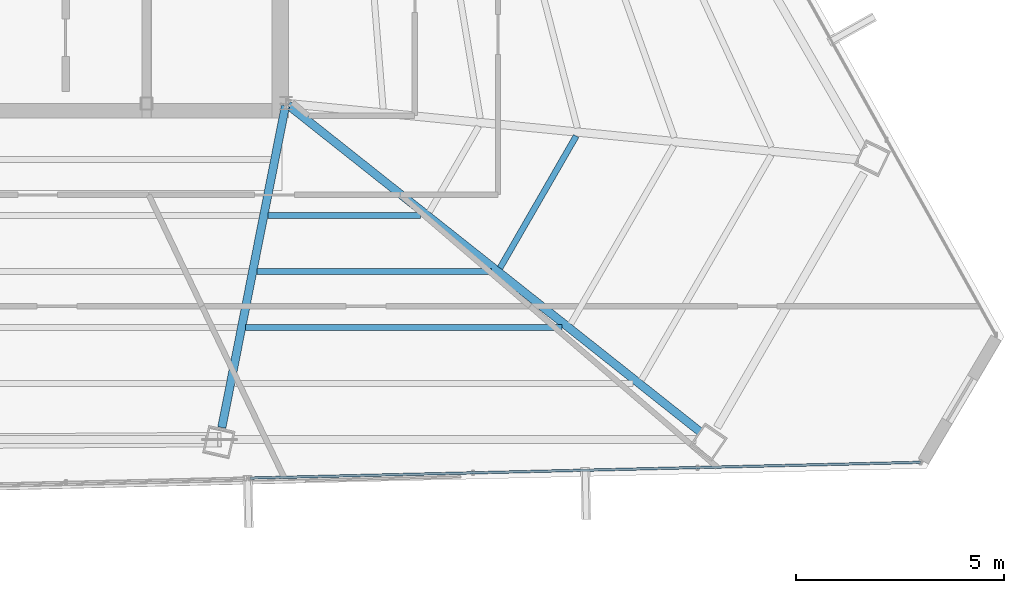
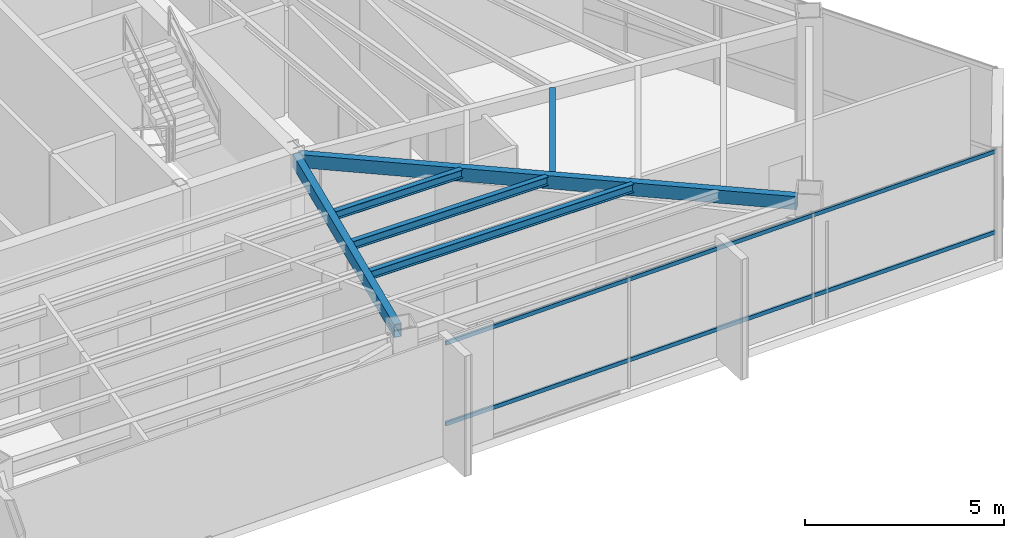
# One storey, part 20 of 46: 6 beams, 2 members, 1 element without a shape of its own.
"""IFC4 building model written with IfcOpenShell, lengths in metres."""

from ifc_helpers import new_model, si_unit, direction, frame, origin, origin_2d, place, context, subcontext, project, spatial, hollow_rectangle, i_section, extrude, source, transform, mapped, material, material_profile, profile_set, type_object, type_shapes, element, aggregate, save


model = new_model("IFC4")

# Units and contexts
model_context = context("Model", 3, precision=1e-05, world=origin(), true_north=direction((0.0, 1.0)))
body_context = subcontext(model_context, "Body", "Model", "MODEL_VIEW")
ifc_project = project(units=[si_unit("LENGTHUNIT", "METRE"), si_unit("AREAUNIT", "SQUARE_METRE"), si_unit("VOLUMEUNIT", "CUBIC_METRE"), si_unit("PLANEANGLEUNIT", "RADIAN"), si_unit("MASSUNIT", "GRAM", prefix="KILO")], contexts=[model_context])

# Site, building, storey
site_placement = place(None, origin())
site = spatial("IfcSite", under=ifc_project, at=site_placement, CompositionType="ELEMENT")
building_placement = place(site_placement, origin())
building = spatial("IfcBuilding", under=site, at=building_placement, Name="Caelisora Broadcast Tower", CompositionType="ELEMENT")
storey_placement = place(building_placement, frame((0.0, 0.0, 251.75)))
storey = spatial("IfcBuildingStorey", under=building, at=storey_placement, Name="L66", CompositionType="ELEMENT", Elevation=251.75)

# Beams
ifc_material_1 = material(Name="Steel Grade 350 (AS/NZS 1163 C350L0)", Category="steel")
ifc_material_profile_1 = material_profile(ifc_material_1, hollow_rectangle(XDim=0.199951171875, YDim=0.39990234375, WallThickness=0.012451171875, at=origin_2d()), Name="Steel Grade 350 (AS/NZS 1163 C350L0)")
ifc_profile_set_1 = profile_set([ifc_material_profile_1], Name="Steel Grade 350 (AS/NZS 1163 C350L0)")
beam_type_1 = type_object("IfcBeamType", Name="PG07", PredefinedType="BEAM", material=ifc_profile_set_1)
shared_shape_1 = source(origin(), body_context, "Body", "SweptSolid", [
    extrude(hollow_rectangle(XDim=0.199951171875, YDim=0.39990234375, WallThickness=0.012451171875, at=origin_2d()), origin(), (0.0, 0.0, 1.0), 12.65966796875),
])
beam_1_placement = place(storey_placement, frame((45.547119140625, 17.36279296875, 3.199951171875), z_axis=(0.783568901759, -0.621304897934, 0.0), x_axis=(0.621304897934, 0.783568901759, 0.0)))
element("IfcBeam", 1, at=beam_1_placement, inside=storey, type_object=beam_type_1, Name="L66 beam PG07", PredefinedType="BEAM", context=body_context, shape_type="MappedRepresentation", body=[
    mapped(shared_shape_1, transform((0.0, 0.0, 0.0), scale=1.0)),
])
shared_shape_2 = source(origin(), body_context, "Body", "SweptSolid", [
    extrude(hollow_rectangle(XDim=0.199951171875, YDim=0.39990234375, WallThickness=0.012451171875, at=origin_2d()), origin(), (0.0, 0.0, 1.0), 7.886474609375),
])
type_shapes(beam_type_1, [shared_shape_1, shared_shape_2])
beam_2_placement = place(storey_placement, frame((45.48828125, 17.341064453125, 3.199951171875), z_axis=(-0.19403800895, -0.980994011747, 0.0), x_axis=(0.980994011747, -0.19403800895, 0.0)))
element("IfcBeam", 2, at=beam_2_placement, inside=storey, type_object=beam_type_1, Name="L66 beam PG07", PredefinedType="BEAM", context=body_context, shape_type="MappedRepresentation", body=[
    mapped(shared_shape_2, transform((0.0, 0.0, 0.0), scale=1.0)),
])
ifc_material_2 = material(Name="Steel Grade 350 (AS/NZS 3679.1)", Category="steel")
ifc_material_profile_2 = material_profile(ifc_material_2, i_section(OverallWidth=0.14599609375, OverallDepth=0.256103515625, WebThickness=0.00634765625, FlangeThickness=0.010986328125, at=origin_2d()), Name="Steel Grade 350 (AS/NZS 3679.1)")
ifc_profile_set_2 = profile_set([ifc_material_profile_2], Name="Steel Grade 350 (AS/NZS 3679.1)")
beam_type_2 = type_object("IfcBeamType", Name="SB04", PredefinedType="JOIST", material=ifc_profile_set_2)
shared_shape_3 = source(origin(), body_context, "Body", "SweptSolid", [
    extrude(i_section(OverallWidth=0.14599609375, OverallDepth=0.256103515625, WebThickness=0.00634765625, FlangeThickness=0.010986328125, at=origin_2d()), origin(), (0.0, 0.0, 1.0), 3.6650390625),
])
beam_3_placement = place(storey_placement, frame((50.649169921875, 13.44091796875, 3.27197265625), z_axis=(0.499993462814, 0.866029177997, 0.0), x_axis=(-0.866029177997, 0.499993462814, 0.0)))
element("IfcBeam", 3, at=beam_3_placement, inside=storey, type_object=beam_type_2, Name="L66 beam SB04", PredefinedType="JOIST", context=body_context, shape_type="MappedRepresentation", body=[
    mapped(shared_shape_3, transform((0.0, 0.0, 0.0), scale=1.0)),
])
shared_shape_4 = source(origin(), body_context, "Body", "SweptSolid", [
    extrude(i_section(OverallWidth=0.14599609375, OverallDepth=0.256103515625, WebThickness=0.00634765625, FlangeThickness=0.010986328125, at=origin_2d()), origin(), (0.0, 0.0, 1.0), 3.676513671875),
])
beam_4_placement = place(storey_placement, frame((45.065673828125, 14.7041015625, 3.27197265625), z_axis=(1.0, 0.0, 0.0), x_axis=(0.0, 1.0, 0.0)))
element("IfcBeam", 4, at=beam_4_placement, inside=storey, type_object=beam_type_2, Name="L66 beam SB04", PredefinedType="JOIST", context=body_context, shape_type="MappedRepresentation", body=[
    mapped(shared_shape_4, transform((0.0, 0.0, 0.0), scale=1.0)),
])
shared_shape_5 = source(origin(), body_context, "Body", "SweptSolid", [
    extrude(i_section(OverallWidth=0.14599609375, OverallDepth=0.256103515625, WebThickness=0.00634765625, FlangeThickness=0.010986328125, at=origin_2d()), origin(), (0.0, 0.0, 1.0), 5.64306640625),
])
beam_5_placement = place(storey_placement, frame((44.799072265625, 13.35595703125, 3.27197265625), z_axis=(1.0, 0.0, 0.0), x_axis=(0.0, 1.0, 0.0)))
element("IfcBeam", 5, at=beam_5_placement, inside=storey, type_object=beam_type_2, Name="L66 beam SB04", PredefinedType="JOIST", context=body_context, shape_type="MappedRepresentation", body=[
    mapped(shared_shape_5, transform((0.0, 0.0, 0.0), scale=1.0)),
])
shared_shape_6 = source(origin(), body_context, "Body", "SweptSolid", [
    extrude(i_section(OverallWidth=0.14599609375, OverallDepth=0.256103515625, WebThickness=0.00634765625, FlangeThickness=0.010986328125, at=origin_2d()), origin(), (0.0, 0.0, 1.0), 7.610107421875),
])
type_shapes(beam_type_2, [shared_shape_3, shared_shape_4, shared_shape_5, shared_shape_6])
beam_6_placement = place(storey_placement, frame((44.5322265625, 12.008056640625, 3.27197265625), z_axis=(1.0, 0.0, 0.0), x_axis=(0.0, 1.0, 0.0)))
element("IfcBeam", 6, at=beam_6_placement, inside=storey, type_object=beam_type_2, Name="L66 beam SB04", PredefinedType="JOIST", context=body_context, shape_type="MappedRepresentation", body=[
    mapped(shared_shape_6, transform((0.0, 0.0, 0.0), scale=1.0)),
])

# Curtain wall, members
ifc_material_3 = material(Name="Unitised Aluminium and Low-E Glass Curtain Wall", Category="glass")
curtain_wall_type = type_object("IfcCurtainWallType", Name="CW-Z5", PredefinedType="NOTDEFINED", material=ifc_material_3)
curtain_wall_placement = place(storey_placement, origin())
curtain_wall = element("IfcCurtainWall", 7, at=curtain_wall_placement, inside=storey, type_object=curtain_wall_type, Name="L66 curtain wall CW-Z5", PredefinedType="NOTDEFINED")
ifc_material_4 = material(Name="Aluminium 6063-T6 Anodised Terracotta Bronze", Category="aluminium")
ifc_material_profile_3 = material_profile(ifc_material_4, hollow_rectangle(XDim=0.06005859375, YDim=0.1201171875, WallThickness=0.0029296875, at=origin_2d()), Name="Aluminium 6063-T6 Anodised Terracotta Bronze")
ifc_profile_set_3 = profile_set([ifc_material_profile_3], Name="Aluminium 6063-T6 Anodised Terracotta Bronze")
member_type = type_object("IfcMemberType", Name="CWT-03", PredefinedType="USERDEFINED", material=ifc_profile_set_3)
shared_shape_7 = source(origin(), body_context, "Body", "SweptSolid", [
    extrude(hollow_rectangle(XDim=0.06005859375, YDim=0.1201171875, WallThickness=0.0029296875, at=origin_2d()), origin(), (0.0, 0.0, 1.0), 16.13525390625),
])
type_shapes(member_type, [shared_shape_7])
member_1_placement = place(storey_placement, frame((60.764892578125, 8.766845703125, 0.85009765625), z_axis=(-0.999722812474, -0.023543538809, 0.0), x_axis=(0.023543538809, -0.999722812474, 0.0)))
member_1 = element("IfcMember", 8, at=member_1_placement, type_object=member_type, Name="L66-CW-B05 transom #1", ObjectType="TRANSOM", PredefinedType="USERDEFINED", context=body_context, shape_type="MappedRepresentation", body=[
    mapped(shared_shape_7, transform((0.0, 0.0, 0.0), scale=1.0)),
])
member_2_placement = place(storey_placement, frame((60.764892578125, 8.766845703125, 3.320068359375), z_axis=(-0.999722812474, -0.023543538809, 0.0), x_axis=(0.023543538809, -0.999722812474, 0.0)))
member_2 = element("IfcMember", 9, at=member_2_placement, type_object=member_type, Name="L66-CW-B05 transom #2", ObjectType="TRANSOM", PredefinedType="USERDEFINED", context=body_context, shape_type="MappedRepresentation", body=[
    mapped(shared_shape_7, transform((0.0, 0.0, 0.0), scale=1.0)),
])
aggregate(curtain_wall, [member_1, member_2])

save(model, "model.ifc")
